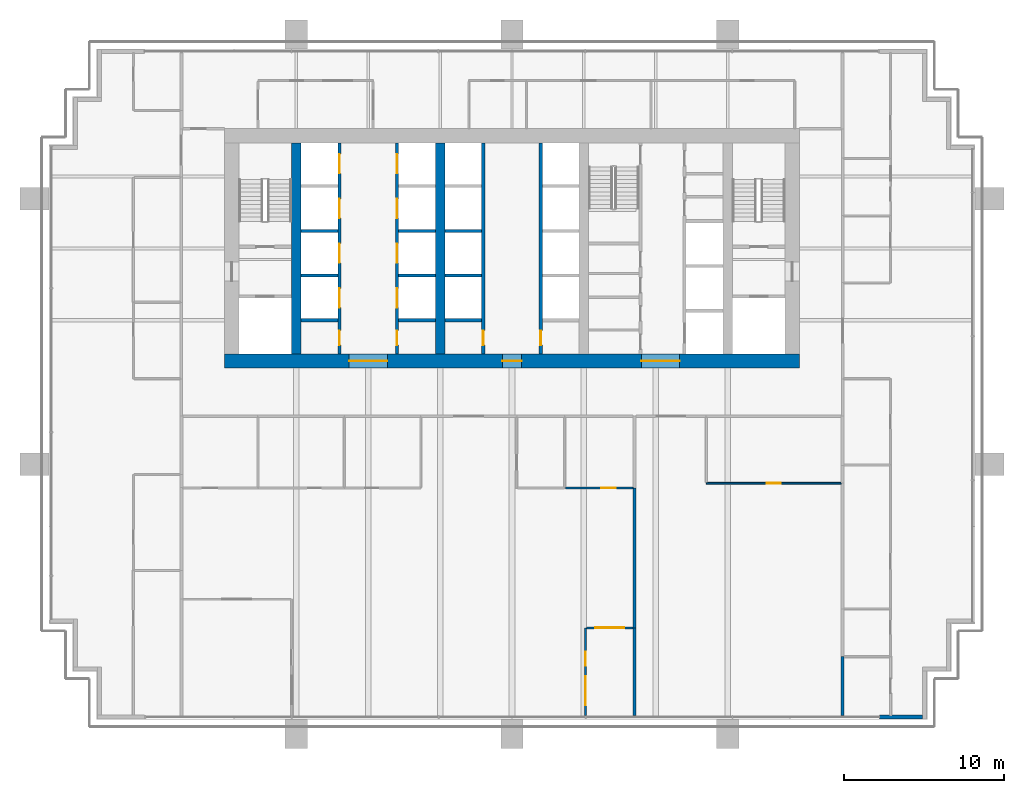
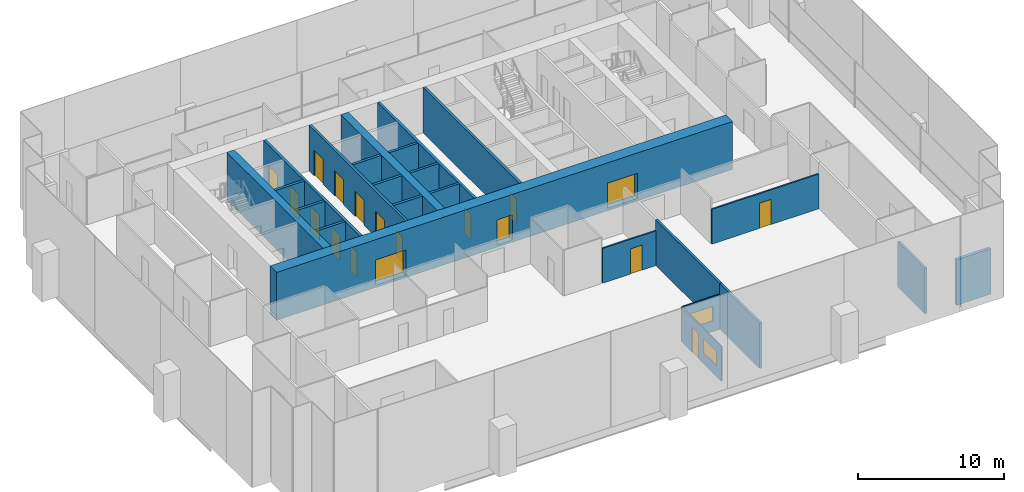
# One storey, part 11 of 17: 24 walls, 18 doors, 2 windows, 20 openings.
"""IFC4 building model written with IfcOpenShell, lengths in metres."""

from ifc_helpers import new_model, si_unit, direction, frame, frame_2d, origin, place, context, subcontext, project, spatial, rectangle, extrude, material, layer, layer_set, type_object, element, fill, save


model = new_model("IFC4")

# Units and contexts
model_context = context("Model", 3, precision=1e-05, world=origin(), true_north=direction((0.0, 1.0)))
body_context = subcontext(model_context, "Body", "Model", "MODEL_VIEW")
ifc_project = project(units=[si_unit("LENGTHUNIT", "METRE"), si_unit("AREAUNIT", "SQUARE_METRE"), si_unit("VOLUMEUNIT", "CUBIC_METRE"), si_unit("PLANEANGLEUNIT", "RADIAN"), si_unit("MASSUNIT", "GRAM", prefix="KILO")], contexts=[model_context])

# Site, building, storey
site_placement = place(None, origin())
site = spatial("IfcSite", under=ifc_project, at=site_placement, CompositionType="ELEMENT")
building_placement = place(site_placement, origin())
building = spatial("IfcBuilding", under=site, at=building_placement, Name="Rattan Terrace Tower", CompositionType="ELEMENT")
storey_placement = place(building_placement, frame((0.0, 0.0, 126.10009765625)))
storey = spatial("IfcBuildingStorey", under=building, at=storey_placement, Name="L28", CompositionType="ELEMENT", Elevation=126.10009765625)

# Wall, openings, doors
ifc_material_1 = material(Name="Concrete C60/75", Category="concrete")
ifc_layer_1 = layer(ifc_material_1, 0.89990234375)
ifc_layer_set_1 = layer_set([ifc_layer_1], Name="Core ring wall 900 C60/75")
wall_type_1 = type_object("IfcWallType", Name="Core ring wall 900 C60/75", PredefinedType="SHEAR", material=ifc_layer_set_1)
wall_1_placement = place(storey_placement, frame((-18.0, -7.050048828125, -0.2001953125), z_axis=(0.0, 0.0, 1.0), x_axis=(1.0, 0.0, 0.0)))
wall_1 = element("IfcWall", 1, at=wall_1_placement, inside=storey, type_object=wall_type_1, Name="Rear core wall south", PredefinedType="SHEAR", context=body_context, shape_type="SweptSolid", body=[
    extrude(rectangle(XDim=36.0, YDim=0.89990234375, at=frame_2d((18.0, 0.0))), origin(), (0.0, 0.0, 1.0), 4.0),
])
opening_1_placement = place(wall_1_placement, frame((7.800048828125, 0.0, 0.199951171875)))
opening_1 = element("IfcOpeningElement", 2, at=opening_1_placement, cuts=wall_1, Name="Opening L28-D007", PredefinedType="OPENING", context=body_context, shape_type="SweptSolid", body=[
    extrude(rectangle(XDim=2.39990234375, YDim=2.10009765625, at=frame_2d((1.199951171875, 1.050048828125))), frame((0.0, 0.46044921875, 0.0), z_axis=(0.0, -1.0, 0.0), x_axis=(1.0, 0.0, 0.0)), (0.0, 0.0, 1.0), 0.9208984375),
])
opening_2_placement = place(wall_1_placement, frame((17.39990234375, 0.0, 0.199951171875)))
opening_2 = element("IfcOpeningElement", 3, at=opening_2_placement, cuts=wall_1, Name="Opening L28-D010", PredefinedType="OPENING", context=body_context, shape_type="SweptSolid", body=[
    extrude(rectangle(XDim=1.199951171875, YDim=2.10009765625, at=frame_2d((0.60009765625, 1.050048828125))), frame((0.0, 0.46044921875, 0.0), z_axis=(0.0, -1.0, 0.0), x_axis=(1.0, 0.0, 0.0)), (0.0, 0.0, 1.0), 0.9208984375),
])
opening_3_placement = place(wall_1_placement, frame((26.10009765625, 0.0, 0.199951171875)))
opening_3 = element("IfcOpeningElement", 4, at=opening_3_placement, cuts=wall_1, Name="Opening L28-D016", PredefinedType="OPENING", context=body_context, shape_type="SweptSolid", body=[
    extrude(rectangle(XDim=2.39990234375, YDim=2.10009765625, at=frame_2d((1.199951171875, 1.050048828125))), frame((0.0, 0.46044921875, 0.0), z_axis=(0.0, -1.0, 0.0), x_axis=(1.0, 0.0, 0.0)), (0.0, 0.0, 1.0), 0.9208984375),
])
ifc_material_2 = material(Name="Hollow-metal fire door leaf")
door_type_1 = type_object("IfcDoorType", Name="Core lift lobby door 2400", OperationType="NOTDEFINED", PredefinedType="DOOR", material=ifc_material_2)
door_1_placement = place(opening_1_placement, origin())
door_1 = element("IfcDoor", 5, at=door_1_placement, inside=storey, type_object=door_type_1, Name="Door L28-D007", OperationType="DOUBLE_DOOR_DOUBLE_SWING", OverallHeight=2.10009765625, OverallWidth=2.39990234375, PredefinedType="DOOR", context=body_context, shape_type="SweptSolid", body=[
    extrude(rectangle(XDim=2.39990234375, YDim=2.10009765625, at=frame_2d((1.199951171875, 1.050048828125))), frame((0.0, 0.02490234375, 0.0), z_axis=(0.0, -1.0, 0.0), x_axis=(1.0, 0.0, 0.0)), (0.0, 0.0, 1.0), 0.050048828125),
])
fill(opening_1, door_1)
door_2_placement = place(opening_3_placement, origin())
door_2 = element("IfcDoor", 6, at=door_2_placement, inside=storey, type_object=door_type_1, Name="Door L28-D016", OperationType="DOUBLE_DOOR_DOUBLE_SWING", OverallHeight=2.10009765625, OverallWidth=2.39990234375, PredefinedType="DOOR", context=body_context, shape_type="SweptSolid", body=[
    extrude(rectangle(XDim=2.39990234375, YDim=2.10009765625, at=frame_2d((1.199951171875, 1.050048828125))), frame((0.0, 0.02490234375, 0.0), z_axis=(0.0, -1.0, 0.0), x_axis=(1.0, 0.0, 0.0)), (0.0, 0.0, 1.0), 0.050048828125),
])
fill(opening_3, door_2)
ifc_material_3 = material(Name="Hollow-metal fire door leaf")
door_type_2 = type_object("IfcDoorType", Name="Core riser door 1200", OperationType="NOTDEFINED", PredefinedType="DOOR", material=ifc_material_3)
door_3_placement = place(opening_2_placement, origin())
door_3 = element("IfcDoor", 7, at=door_3_placement, inside=storey, type_object=door_type_2, Name="Door L28-D010", OperationType="SINGLE_SWING_LEFT", OverallHeight=2.10009765625, OverallWidth=1.199951171875, PredefinedType="DOOR", context=body_context, shape_type="SweptSolid", body=[
    extrude(rectangle(XDim=1.199951171875, YDim=2.10009765625, at=frame_2d((0.60009765625, 1.050048828125))), frame((0.0, 0.02490234375, 0.0), z_axis=(0.0, -1.0, 0.0), x_axis=(1.0, 0.0, 0.0)), (0.0, 0.0, 1.0), 0.050048828125),
])
fill(opening_2, door_3)

# Walls
ifc_material_4 = material(Name="Concrete C60/75", Category="concrete")
ifc_layer_2 = layer(ifc_material_4, 0.60009765625)
ifc_layer_set_2 = layer_set([ifc_layer_2], Name="Core spine wall 600 C60/75")
wall_type_2 = type_object("IfcWallType", Name="Core spine wall 600 C60/75", PredefinedType="SHEAR", material=ifc_layer_set_2)
for number, where, z_axis, x_axis, name in (
    (8, (-13.5, -6.60009765625, -0.2001953125), (0.0, 0.0, 1.0), (0.0, 1.0, 0.0), "Core spine wall 1"),
    (9, (-4.5, -6.60009765625, -0.2001953125), (0.0, 0.0, 1.0), (0.0, 1.0, 0.0), "Core spine wall 2"),
):
    element("IfcWall", number, at=place(storey_placement, frame(where, z_axis=z_axis, x_axis=x_axis)), inside=storey, type_object=wall_type_2, Name=name, PredefinedType="SHEAR", context=body_context, shape_type="SweptSolid", body=[
        extrude(rectangle(XDim=13.2001953125, YDim=0.60009765625, at=frame_2d((6.60009765625, 0.0))), origin(), (0.0, 0.0, 1.0), 4.0),
    ])
ifc_material_5 = material(Name="Insulated aluminium-clad stud wall", Category="aluminium")
ifc_layer_3 = layer(ifc_material_5, 0.25)
ifc_layer_set_3 = layer_set([ifc_layer_3], Name="Facade Riser Wall 250")
wall_type_3 = type_object("IfcWallType", Name="Facade Riser Wall 250", PredefinedType="SOLIDWALL", material=ifc_layer_set_3)
wall_2_placement = place(storey_placement, frame((23.0, -29.330078125, 0.0), z_axis=(0.0, 0.0, 1.0), x_axis=(1.0, 0.0, 0.0)))
element("IfcWall", 10, at=wall_2_placement, inside=storey, type_object=wall_type_3, Name="Riser wall L28-1", PredefinedType="SOLIDWALL", context=body_context, shape_type="SweptSolid", body=[
    extrude(rectangle(XDim=2.705078125, YDim=0.25, at=frame_2d((1.3525390625, 0.0))), origin(), (0.0, 0.0, 1.0), 3.7998046875),
])
ifc_material_6 = material(Name="Double steel stud acoustic partition, gypsum board, mineral wool, fire rated", Category="steel")
ifc_layer_4 = layer(ifc_material_6, 0.179931640625)
ifc_layer_set_4 = layer_set([ifc_layer_4], Name="Floors Acoustic Party Wall 180")
wall_type_4 = type_object("IfcWallType", Name="Floors Acoustic Party Wall 180", PredefinedType="PARTITIONING", material=ifc_layer_set_4)
wall_3_placement = place(storey_placement, frame((7.6669921875, -15.0, 0.0), z_axis=(0.0, 0.0, 1.0), x_axis=(0.0, -1.0, 0.0)))
element("IfcWall", 11, at=wall_3_placement, inside=storey, type_object=wall_type_4, Name="pt-L28-049", PredefinedType="PARTITIONING", context=body_context, shape_type="SweptSolid", body=[
    extrude(rectangle(XDim=8.760009765625, YDim=0.179931640625, at=frame_2d((4.3798828125, 0.0))), origin(), (0.0, 0.0, 1.0), 3.7998046875),
])
wall_4_placement = place(storey_placement, frame((7.6669921875, -23.760009765625, 0.0), z_axis=(0.0, 0.0, 1.0), x_axis=(0.0, -1.0, 0.0)))
element("IfcWall", 12, at=wall_4_placement, inside=storey, type_object=wall_type_4, Name="pt-L28-050", PredefinedType="PARTITIONING", context=body_context, shape_type="SweptSolid", body=[
    extrude(rectangle(XDim=5.47998046875, YDim=0.179931640625, at=frame_2d((2.739990234375, 0.0))), origin(), (0.0, 0.0, 1.0), 3.7998046875),
])
wall_5_placement = place(storey_placement, frame((20.699951171875, -25.5400390625, 0.0), z_axis=(0.0, 0.0, 1.0), x_axis=(0.0, -1.0, 0.0)))
element("IfcWall", 13, at=wall_5_placement, inside=storey, type_object=wall_type_4, Name="pt-L28-057", PredefinedType="PARTITIONING", context=body_context, shape_type="SweptSolid", body=[
    extrude(rectangle(XDim=3.699951171875, YDim=0.179931640625, at=frame_2d((1.85009765625, 0.0))), origin(), (0.0, 0.0, 1.0), 3.7998046875),
])

# Wall, openings, door, window
ifc_material_7 = material(Name="Gypsum board partition on steel studs", Category="steel")
ifc_layer_5 = layer(ifc_material_7, 0.10009765625)
ifc_layer_set_5 = layer_set([ifc_layer_5], Name="Floors Partition 100")
wall_type_5 = type_object("IfcWallType", Name="Floors Partition 100", PredefinedType="PARTITIONING", material=ifc_layer_set_5)
wall_6_placement = place(storey_placement, frame((4.60009765625, -23.760009765625, 0.0), z_axis=(0.0, 0.0, 1.0), x_axis=(0.0, -1.0, 0.0)))
wall_6 = element("IfcWall", 14, at=wall_6_placement, inside=storey, type_object=wall_type_5, Name="pt-L28-038", PredefinedType="PARTITIONING", context=body_context, shape_type="SweptSolid", body=[
    extrude(rectangle(XDim=5.47998046875, YDim=0.10009765625, at=frame_2d((2.739990234375, 0.0))), origin(), (0.0, 0.0, 1.0), 2.89990234375),
])
opening_4_placement = place(wall_6_placement, frame((1.47412109375, 0.0, 0.0)))
opening_4 = element("IfcOpeningElement", 15, at=opening_4_placement, cuts=wall_6, Name="Opening L28-D107", PredefinedType="OPENING", context=body_context, shape_type="SweptSolid", body=[
    extrude(rectangle(XDim=0.89990234375, YDim=2.10009765625, at=frame_2d((0.449951171875, 1.050048828125))), frame((0.0, 0.060546875, 0.0), z_axis=(0.0, -1.0, 0.0), x_axis=(1.0, 0.0, 0.0)), (0.0, 0.0, 1.0), 0.12109375),
])
opening_5_placement = place(wall_6_placement, frame((3.027099609375, 0.0, 0.89990234375)))
opening_5 = element("IfcOpeningElement", 16, at=opening_5_placement, cuts=wall_6, Name="Opening L28-W100", PredefinedType="OPENING", context=body_context, shape_type="SweptSolid", body=[
    extrude(rectangle(XDim=1.800048828125, YDim=1.199951171875, at=frame_2d((0.89990234375, 0.60009765625))), frame((0.0, 0.060546875, 0.0), z_axis=(0.0, -1.0, 0.0), x_axis=(1.0, 0.0, 0.0)), (0.0, 0.0, 1.0), 0.12109375),
])
ifc_material_8 = material(Name="Solid core timber door, painted", Category="wood")
door_type_3 = type_object("IfcDoorType", Name="Floors Door 900x2100", OperationType="NOTDEFINED", PredefinedType="DOOR", material=ifc_material_8)
door_4_placement = place(opening_4_placement, origin())
door_4 = element("IfcDoor", 17, at=door_4_placement, inside=storey, type_object=door_type_3, Name="d-L28-107", OperationType="SINGLE_SWING_LEFT", OverallHeight=2.10009765625, OverallWidth=0.89990234375, PredefinedType="DOOR", context=body_context, shape_type="SweptSolid", body=[
    extrude(rectangle(XDim=0.89990234375, YDim=2.10009765625, at=frame_2d((0.449951171875, 1.050048828125))), frame((0.0, 0.02490234375, 0.0), z_axis=(0.0, -1.0, 0.0), x_axis=(1.0, 0.0, 0.0)), (0.0, 0.0, 1.0), 0.050048828125),
])
fill(opening_4, door_4)
ifc_material_9 = material(Name="Glass, clear, fixed in aluminium frame", Category="aluminium")
window_type = type_object("IfcWindowType", Name="Interior Vision Window 1800x1200", PartitioningType="SINGLE_PANEL", PredefinedType="WINDOW", material=ifc_material_9)
window_1_placement = place(opening_5_placement, origin())
window_1 = element("IfcWindow", 18, at=window_1_placement, inside=storey, type_object=window_type, Name="w-L28-100", OverallHeight=1.199951171875, OverallWidth=1.800048828125, PartitioningType="SINGLE_PANEL", PredefinedType="WINDOW", context=body_context, shape_type="SweptSolid", body=[
    extrude(rectangle(XDim=1.800048828125, YDim=1.199951171875, at=frame_2d((0.89990234375, 0.60009765625))), frame((0.0, 0.030029296875, 0.0), z_axis=(0.0, -1.0, 0.0), x_axis=(1.0, 0.0, 0.0)), (0.0, 0.0, 1.0), 0.06005859375),
])
fill(opening_5, window_1)

# Wall, opening, window
wall_7_placement = place(storey_placement, frame((7.576904296875, -23.760009765625, 0.0), z_axis=(0.0, 0.0, 1.0), x_axis=(-1.0, 0.0, 0.0)))
wall_7 = element("IfcWall", 19, at=wall_7_placement, inside=storey, type_object=wall_type_5, Name="pt-L28-039", PredefinedType="PARTITIONING", context=body_context, shape_type="SweptSolid", body=[
    extrude(rectangle(XDim=2.927001953125, YDim=0.10009765625, at=frame_2d((1.46337890625, 0.0))), origin(), (0.0, 0.0, 1.0), 2.89990234375),
])
opening_6_placement = place(wall_7_placement, frame((0.56396484375, 0.0, 0.89990234375)))
opening_6 = element("IfcOpeningElement", 20, at=opening_6_placement, cuts=wall_7, Name="Opening L28-W101", PredefinedType="OPENING", context=body_context, shape_type="SweptSolid", body=[
    extrude(rectangle(XDim=1.800048828125, YDim=1.199951171875, at=frame_2d((0.89990234375, 0.60009765625))), frame((0.0, 0.060546875, 0.0), z_axis=(0.0, -1.0, 0.0), x_axis=(1.0, 0.0, 0.0)), (0.0, 0.0, 1.0), 0.12109375),
])
window_2_placement = place(opening_6_placement, origin())
window_2 = element("IfcWindow", 21, at=window_2_placement, inside=storey, type_object=window_type, Name="w-L28-101", OverallHeight=1.199951171875, OverallWidth=1.800048828125, PartitioningType="SINGLE_PANEL", PredefinedType="WINDOW", context=body_context, shape_type="SweptSolid", body=[
    extrude(rectangle(XDim=1.800048828125, YDim=1.199951171875, at=frame_2d((0.89990234375, 0.60009765625))), frame((0.0, 0.030029296875, 0.0), z_axis=(0.0, -1.0, 0.0), x_axis=(1.0, 0.0, 0.0)), (0.0, 0.0, 1.0), 0.06005859375),
])
fill(opening_6, window_2)

# Wall, opening, door
ifc_material_10 = material(Name="Moisture resistant gypsum board partition on steel studs with service cavity", Category="steel")
ifc_layer_6 = layer(ifc_material_10, 0.1201171875)
ifc_layer_set_6 = layer_set([ifc_layer_6], Name="Floors Wet Wall 120")
wall_type_6 = type_object("IfcWallType", Name="Floors Wet Wall 120", PredefinedType="PARTITIONING", material=ifc_layer_set_6)
wall_8_placement = place(storey_placement, frame((3.360107421875, -15.0, 0.0), z_axis=(0.0, 0.0, 1.0), x_axis=(1.0, 0.0, 0.0)))
wall_8 = element("IfcWall", 22, at=wall_8_placement, inside=storey, type_object=wall_type_6, Name="pt-L28-048", PredefinedType="PARTITIONING", context=body_context, shape_type="SweptSolid", body=[
    extrude(rectangle(XDim=4.216796875, YDim=0.1201171875, at=frame_2d((2.1083984375, 0.0))), origin(), (0.0, 0.0, 1.0), 2.89990234375),
])
opening_7_placement = place(wall_8_placement, frame((2.221923828125, 0.0, 0.0)))
opening_7 = element("IfcOpeningElement", 23, at=opening_7_placement, cuts=wall_8, Name="Opening L28-D113", PredefinedType="OPENING", context=body_context, shape_type="SweptSolid", body=[
    extrude(rectangle(XDim=0.89990234375, YDim=2.10009765625, at=frame_2d((0.449951171875, 1.050048828125))), frame((0.0, 0.070556640625, 0.0), z_axis=(0.0, -1.0, 0.0), x_axis=(1.0, 0.0, 0.0)), (0.0, 0.0, 1.0), 0.14111328125),
])
door_5_placement = place(opening_7_placement, origin())
door_5 = element("IfcDoor", 24, at=door_5_placement, inside=storey, type_object=door_type_3, Name="d-L28-113", OperationType="SINGLE_SWING_RIGHT", OverallHeight=2.10009765625, OverallWidth=0.89990234375, PredefinedType="DOOR", context=body_context, shape_type="SweptSolid", body=[
    extrude(rectangle(XDim=0.89990234375, YDim=2.10009765625, at=frame_2d((0.449951171875, 1.050048828125))), frame((0.0, 0.02490234375, 0.0), z_axis=(0.0, -1.0, 0.0), x_axis=(1.0, 0.0, 0.0)), (0.0, 0.0, 1.0), 0.050048828125),
])
fill(opening_7, door_5)

wall_9_placement = place(storey_placement, frame((12.1669921875, -14.699951171875, 0.0), z_axis=(0.0, 0.0, 1.0), x_axis=(1.0, 0.0, 0.0)))
wall_9 = element("IfcWall", 25, at=wall_9_placement, inside=storey, type_object=wall_type_6, Name="pt-L28-056", PredefinedType="PARTITIONING", context=body_context, shape_type="SweptSolid", body=[
    extrude(rectangle(XDim=8.443115234375, YDim=0.1201171875, at=frame_2d((4.2216796875, 0.0))), origin(), (0.0, 0.0, 1.0), 2.89990234375),
])
opening_8_placement = place(wall_9_placement, frame((3.77099609375, 0.0, 0.0)))
opening_8 = element("IfcOpeningElement", 26, at=opening_8_placement, cuts=wall_9, Name="Opening L28-D115", PredefinedType="OPENING", context=body_context, shape_type="SweptSolid", body=[
    extrude(rectangle(XDim=0.89990234375, YDim=2.10009765625, at=frame_2d((0.449951171875, 1.050048828125))), frame((0.0, 0.070556640625, 0.0), z_axis=(0.0, -1.0, 0.0), x_axis=(1.0, 0.0, 0.0)), (0.0, 0.0, 1.0), 0.14111328125),
])
door_6_placement = place(opening_8_placement, origin())
door_6 = element("IfcDoor", 27, at=door_6_placement, inside=storey, type_object=door_type_3, Name="d-L28-115", OperationType="SINGLE_SWING_RIGHT", OverallHeight=2.10009765625, OverallWidth=0.89990234375, PredefinedType="DOOR", context=body_context, shape_type="SweptSolid", body=[
    extrude(rectangle(XDim=0.89990234375, YDim=2.10009765625, at=frame_2d((0.449951171875, 1.050048828125))), frame((0.0, 0.02490234375, 0.0), z_axis=(0.0, -1.0, 0.0), x_axis=(1.0, 0.0, 0.0)), (0.0, 0.0, 1.0), 0.050048828125),
])
fill(opening_8, door_6)

# Wall, openings, doors
ifc_material_11 = material(Name="Gypsum shaft wall system")
ifc_layer_7 = layer(ifc_material_11, 0.199951171875)
ifc_layer_set_7 = layer_set([ifc_layer_7], Name="Lift shaft wall 200")
wall_type_7 = type_object("IfcWallType", Name="Lift shaft wall 200", PredefinedType="PARTITIONING", material=ifc_layer_set_7)
wall_10_placement = place(storey_placement, frame((-10.800048828125, -6.60009765625, 0.0), z_axis=(0.0, 0.0, 1.0), x_axis=(0.0, 1.0, 0.0)))
wall_10 = element("IfcWall", 28, at=wall_10_placement, inside=storey, type_object=wall_type_7, Name="Lift shaft front wall", PredefinedType="PARTITIONING", context=body_context, shape_type="SweptSolid", body=[
    extrude(rectangle(XDim=13.2001953125, YDim=0.199951171875, at=frame_2d((6.60009765625, 0.0))), origin(), (0.0, 0.0, 1.0), 3.7998046875),
])
opening_9_placement = place(wall_10_placement, frame((0.550048828125, 0.0, 0.0)))
opening_9 = element("IfcOpeningElement", 29, at=opening_9_placement, cuts=wall_10, Name="Opening L28-D005", PredefinedType="OPENING", context=body_context, shape_type="SweptSolid", body=[
    extrude(rectangle(XDim=0.89990234375, YDim=2.10009765625, at=frame_2d((0.449951171875, 1.050048828125))), frame((0.0, 0.110595703125, 0.0), z_axis=(0.0, -1.0, 0.0), x_axis=(1.0, 0.0, 0.0)), (0.0, 0.0, 1.0), 0.220947265625),
])
opening_10_placement = place(wall_10_placement, frame((2.89990234375, 0.0, 0.0)))
opening_10 = element("IfcOpeningElement", 30, at=opening_10_placement, cuts=wall_10, Name="Opening L28-LD-LR1", PredefinedType="OPENING", context=body_context, shape_type="SweptSolid", body=[
    extrude(rectangle(XDim=1.199951171875, YDim=2.10009765625, at=frame_2d((0.60009765625, 1.050048828125))), frame((0.0, 0.110595703125, 0.0), z_axis=(0.0, -1.0, 0.0), x_axis=(1.0, 0.0, 0.0)), (0.0, 0.0, 1.0), 0.220947265625),
])
opening_11_placement = place(wall_10_placement, frame((5.699951171875, 0.0, 0.0)))
opening_11 = element("IfcOpeningElement", 31, at=opening_11_placement, cuts=wall_10, Name="Opening L28-LD-LR2", PredefinedType="OPENING", context=body_context, shape_type="SweptSolid", body=[
    extrude(rectangle(XDim=1.199951171875, YDim=2.10009765625, at=frame_2d((0.60009765625, 1.050048828125))), frame((0.0, 0.110595703125, 0.0), z_axis=(0.0, -1.0, 0.0), x_axis=(1.0, 0.0, 0.0)), (0.0, 0.0, 1.0), 0.220947265625),
])
opening_12_placement = place(wall_10_placement, frame((8.5, 0.0, 0.0)))
opening_12 = element("IfcOpeningElement", 32, at=opening_12_placement, cuts=wall_10, Name="Opening L28-LD-LR3", PredefinedType="OPENING", context=body_context, shape_type="SweptSolid", body=[
    extrude(rectangle(XDim=1.199951171875, YDim=2.10009765625, at=frame_2d((0.60009765625, 1.050048828125))), frame((0.0, 0.110595703125, 0.0), z_axis=(0.0, -1.0, 0.0), x_axis=(1.0, 0.0, 0.0)), (0.0, 0.0, 1.0), 0.220947265625),
])
opening_13_placement = place(wall_10_placement, frame((11.300048828125, 0.0, 0.0)))
opening_13 = element("IfcOpeningElement", 33, at=opening_13_placement, cuts=wall_10, Name="Opening L28-LD-LR4", PredefinedType="OPENING", context=body_context, shape_type="SweptSolid", body=[
    extrude(rectangle(XDim=1.199951171875, YDim=2.10009765625, at=frame_2d((0.60009765625, 1.050048828125))), frame((0.0, 0.110595703125, 0.0), z_axis=(0.0, -1.0, 0.0), x_axis=(1.0, 0.0, 0.0)), (0.0, 0.0, 1.0), 0.220947265625),
])
ifc_material_12 = material(Name="Brushed stainless landing door panel")
door_type_4 = type_object("IfcDoorType", Name="Core lift landing door 1200", OperationType="DOUBLE_DOOR_SLIDING", PredefinedType="DOOR", material=ifc_material_12)
door_7_placement = place(opening_10_placement, origin())
door_7 = element("IfcDoor", 34, at=door_7_placement, inside=storey, type_object=door_type_4, Name="Door L28-LD-LR1", OperationType="DOUBLE_DOOR_SLIDING", OverallHeight=2.10009765625, OverallWidth=1.199951171875, PredefinedType="DOOR", context=body_context, shape_type="SweptSolid", body=[
    extrude(rectangle(XDim=1.199951171875, YDim=2.10009765625, at=frame_2d((0.60009765625, 1.050048828125))), frame((0.0, 0.02490234375, 0.0), z_axis=(0.0, -1.0, 0.0), x_axis=(1.0, 0.0, 0.0)), (0.0, 0.0, 1.0), 0.050048828125),
])
fill(opening_10, door_7)
door_8_placement = place(opening_11_placement, origin())
door_8 = element("IfcDoor", 35, at=door_8_placement, inside=storey, type_object=door_type_4, Name="Door L28-LD-LR2", OperationType="DOUBLE_DOOR_SLIDING", OverallHeight=2.10009765625, OverallWidth=1.199951171875, PredefinedType="DOOR", context=body_context, shape_type="SweptSolid", body=[
    extrude(rectangle(XDim=1.199951171875, YDim=2.10009765625, at=frame_2d((0.60009765625, 1.050048828125))), frame((0.0, 0.02490234375, 0.0), z_axis=(0.0, -1.0, 0.0), x_axis=(1.0, 0.0, 0.0)), (0.0, 0.0, 1.0), 0.050048828125),
])
fill(opening_11, door_8)
door_9_placement = place(opening_12_placement, origin())
door_9 = element("IfcDoor", 36, at=door_9_placement, inside=storey, type_object=door_type_4, Name="Door L28-LD-LR3", OperationType="DOUBLE_DOOR_SLIDING", OverallHeight=2.10009765625, OverallWidth=1.199951171875, PredefinedType="DOOR", context=body_context, shape_type="SweptSolid", body=[
    extrude(rectangle(XDim=1.199951171875, YDim=2.10009765625, at=frame_2d((0.60009765625, 1.050048828125))), frame((0.0, 0.02490234375, 0.0), z_axis=(0.0, -1.0, 0.0), x_axis=(1.0, 0.0, 0.0)), (0.0, 0.0, 1.0), 0.050048828125),
])
fill(opening_12, door_9)
door_10_placement = place(opening_13_placement, origin())
door_10 = element("IfcDoor", 37, at=door_10_placement, inside=storey, type_object=door_type_4, Name="Door L28-LD-LR4", OperationType="DOUBLE_DOOR_SLIDING", OverallHeight=2.10009765625, OverallWidth=1.199951171875, PredefinedType="DOOR", context=body_context, shape_type="SweptSolid", body=[
    extrude(rectangle(XDim=1.199951171875, YDim=2.10009765625, at=frame_2d((0.60009765625, 1.050048828125))), frame((0.0, 0.02490234375, 0.0), z_axis=(0.0, -1.0, 0.0), x_axis=(1.0, 0.0, 0.0)), (0.0, 0.0, 1.0), 0.050048828125),
])
fill(opening_13, door_10)
ifc_material_13 = material(Name="Hollow-metal fire door leaf")
door_type_5 = type_object("IfcDoorType", Name="Core riser door 900", OperationType="NOTDEFINED", PredefinedType="DOOR", material=ifc_material_13)
door_11_placement = place(opening_9_placement, origin())
door_11 = element("IfcDoor", 38, at=door_11_placement, inside=storey, type_object=door_type_5, Name="Door L28-D005", OperationType="SINGLE_SWING_LEFT", OverallHeight=2.10009765625, OverallWidth=0.89990234375, PredefinedType="DOOR", context=body_context, shape_type="SweptSolid", body=[
    extrude(rectangle(XDim=0.89990234375, YDim=2.10009765625, at=frame_2d((0.449951171875, 1.050048828125))), frame((0.0, 0.02490234375, 0.0), z_axis=(0.0, -1.0, 0.0), x_axis=(1.0, 0.0, 0.0)), (0.0, 0.0, 1.0), 0.050048828125),
])
fill(opening_9, door_11)

wall_11_placement = place(storey_placement, frame((-7.199951171875, -6.60009765625, 0.0), z_axis=(0.0, 0.0, 1.0), x_axis=(0.0, 1.0, 0.0)))
wall_11 = element("IfcWall", 39, at=wall_11_placement, inside=storey, type_object=wall_type_7, Name="Lift shaft front wall", PredefinedType="PARTITIONING", context=body_context, shape_type="SweptSolid", body=[
    extrude(rectangle(XDim=13.2001953125, YDim=0.199951171875, at=frame_2d((6.60009765625, 0.0))), origin(), (0.0, 0.0, 1.0), 3.7998046875),
])
opening_14_placement = place(wall_11_placement, frame((0.550048828125, 0.0, 0.0)))
opening_14 = element("IfcOpeningElement", 40, at=opening_14_placement, cuts=wall_11, Name="Opening L28-D006", PredefinedType="OPENING", context=body_context, shape_type="SweptSolid", body=[
    extrude(rectangle(XDim=0.89990234375, YDim=2.10009765625, at=frame_2d((0.449951171875, 1.050048828125))), frame((0.0, 0.110595703125, 0.0), z_axis=(0.0, -1.0, 0.0), x_axis=(1.0, 0.0, 0.0)), (0.0, 0.0, 1.0), 0.220947265625),
])
opening_15_placement = place(wall_11_placement, frame((2.89990234375, 0.0, 0.0)))
opening_15 = element("IfcOpeningElement", 41, at=opening_15_placement, cuts=wall_11, Name="Opening L28-LD-LR5", PredefinedType="OPENING", context=body_context, shape_type="SweptSolid", body=[
    extrude(rectangle(XDim=1.199951171875, YDim=2.10009765625, at=frame_2d((0.60009765625, 1.050048828125))), frame((0.0, 0.110595703125, 0.0), z_axis=(0.0, -1.0, 0.0), x_axis=(1.0, 0.0, 0.0)), (0.0, 0.0, 1.0), 0.220947265625),
])
opening_16_placement = place(wall_11_placement, frame((5.699951171875, 0.0, 0.0)))
opening_16 = element("IfcOpeningElement", 42, at=opening_16_placement, cuts=wall_11, Name="Opening L28-LD-LR6", PredefinedType="OPENING", context=body_context, shape_type="SweptSolid", body=[
    extrude(rectangle(XDim=1.199951171875, YDim=2.10009765625, at=frame_2d((0.60009765625, 1.050048828125))), frame((0.0, 0.110595703125, 0.0), z_axis=(0.0, -1.0, 0.0), x_axis=(1.0, 0.0, 0.0)), (0.0, 0.0, 1.0), 0.220947265625),
])
opening_17_placement = place(wall_11_placement, frame((8.5, 0.0, 0.0)))
opening_17 = element("IfcOpeningElement", 43, at=opening_17_placement, cuts=wall_11, Name="Opening L28-LD-LR7", PredefinedType="OPENING", context=body_context, shape_type="SweptSolid", body=[
    extrude(rectangle(XDim=1.199951171875, YDim=2.10009765625, at=frame_2d((0.60009765625, 1.050048828125))), frame((0.0, 0.110595703125, 0.0), z_axis=(0.0, -1.0, 0.0), x_axis=(1.0, 0.0, 0.0)), (0.0, 0.0, 1.0), 0.220947265625),
])
opening_18_placement = place(wall_11_placement, frame((11.300048828125, 0.0, 0.0)))
opening_18 = element("IfcOpeningElement", 44, at=opening_18_placement, cuts=wall_11, Name="Opening L28-LD-LR8", PredefinedType="OPENING", context=body_context, shape_type="SweptSolid", body=[
    extrude(rectangle(XDim=1.199951171875, YDim=2.10009765625, at=frame_2d((0.60009765625, 1.050048828125))), frame((0.0, 0.110595703125, 0.0), z_axis=(0.0, -1.0, 0.0), x_axis=(1.0, 0.0, 0.0)), (0.0, 0.0, 1.0), 0.220947265625),
])
door_12_placement = place(opening_15_placement, origin())
door_12 = element("IfcDoor", 45, at=door_12_placement, inside=storey, type_object=door_type_4, Name="Door L28-LD-LR5", OperationType="DOUBLE_DOOR_SLIDING", OverallHeight=2.10009765625, OverallWidth=1.199951171875, PredefinedType="DOOR", context=body_context, shape_type="SweptSolid", body=[
    extrude(rectangle(XDim=1.199951171875, YDim=2.10009765625, at=frame_2d((0.60009765625, 1.050048828125))), frame((0.0, 0.02490234375, 0.0), z_axis=(0.0, -1.0, 0.0), x_axis=(1.0, 0.0, 0.0)), (0.0, 0.0, 1.0), 0.050048828125),
])
fill(opening_15, door_12)
door_13_placement = place(opening_16_placement, origin())
door_13 = element("IfcDoor", 46, at=door_13_placement, inside=storey, type_object=door_type_4, Name="Door L28-LD-LR6", OperationType="DOUBLE_DOOR_SLIDING", OverallHeight=2.10009765625, OverallWidth=1.199951171875, PredefinedType="DOOR", context=body_context, shape_type="SweptSolid", body=[
    extrude(rectangle(XDim=1.199951171875, YDim=2.10009765625, at=frame_2d((0.60009765625, 1.050048828125))), frame((0.0, 0.02490234375, 0.0), z_axis=(0.0, -1.0, 0.0), x_axis=(1.0, 0.0, 0.0)), (0.0, 0.0, 1.0), 0.050048828125),
])
fill(opening_16, door_13)
door_14_placement = place(opening_17_placement, origin())
door_14 = element("IfcDoor", 47, at=door_14_placement, inside=storey, type_object=door_type_4, Name="Door L28-LD-LR7", OperationType="DOUBLE_DOOR_SLIDING", OverallHeight=2.10009765625, OverallWidth=1.199951171875, PredefinedType="DOOR", context=body_context, shape_type="SweptSolid", body=[
    extrude(rectangle(XDim=1.199951171875, YDim=2.10009765625, at=frame_2d((0.60009765625, 1.050048828125))), frame((0.0, 0.02490234375, 0.0), z_axis=(0.0, -1.0, 0.0), x_axis=(1.0, 0.0, 0.0)), (0.0, 0.0, 1.0), 0.050048828125),
])
fill(opening_17, door_14)
door_15_placement = place(opening_18_placement, origin())
door_15 = element("IfcDoor", 48, at=door_15_placement, inside=storey, type_object=door_type_4, Name="Door L28-LD-LR8", OperationType="DOUBLE_DOOR_SLIDING", OverallHeight=2.10009765625, OverallWidth=1.199951171875, PredefinedType="DOOR", context=body_context, shape_type="SweptSolid", body=[
    extrude(rectangle(XDim=1.199951171875, YDim=2.10009765625, at=frame_2d((0.60009765625, 1.050048828125))), frame((0.0, 0.02490234375, 0.0), z_axis=(0.0, -1.0, 0.0), x_axis=(1.0, 0.0, 0.0)), (0.0, 0.0, 1.0), 0.050048828125),
])
fill(opening_18, door_15)
door_16_placement = place(opening_14_placement, origin())
door_16 = element("IfcDoor", 49, at=door_16_placement, inside=storey, type_object=door_type_5, Name="Door L28-D006", OperationType="SINGLE_SWING_RIGHT", OverallHeight=2.10009765625, OverallWidth=0.89990234375, PredefinedType="DOOR", context=body_context, shape_type="SweptSolid", body=[
    extrude(rectangle(XDim=0.89990234375, YDim=2.10009765625, at=frame_2d((0.449951171875, 1.050048828125))), frame((0.0, 0.02490234375, 0.0), z_axis=(0.0, -1.0, 0.0), x_axis=(1.0, 0.0, 0.0)), (0.0, 0.0, 1.0), 0.050048828125),
])
fill(opening_14, door_16)

# Walls
for number, where, z_axis, x_axis, name in (
    (50, (-13.199951171875, -1.699951171875, 0.0), (0.0, 0.0, 1.0), (1.0, 0.0, 0.0), "Lift shaft wall"),
    (51, (-13.199951171875, 1.10009765625, 0.0), (0.0, 0.0, 1.0), (1.0, 0.0, 0.0), "Lift shaft wall"),
    (52, (-13.199951171875, -4.5, 0.0), (0.0, 0.0, 1.0), (1.0, 0.0, 0.0), "Lift shaft wall"),
    (53, (-7.10009765625, -1.699951171875, 0.0), (0.0, 0.0, 1.0), (1.0, 0.0, 0.0), "Lift shaft wall"),
    (54, (-7.10009765625, 1.10009765625, 0.0), (0.0, 0.0, 1.0), (1.0, 0.0, 0.0), "Lift shaft wall"),
    (55, (-7.10009765625, -4.5, 0.0), (0.0, 0.0, 1.0), (1.0, 0.0, 0.0), "Lift shaft wall"),
):
    element("IfcWall", number, at=place(storey_placement, frame(where, z_axis=z_axis, x_axis=x_axis)), inside=storey, type_object=wall_type_7, Name=name, PredefinedType="PARTITIONING", context=body_context, shape_type="SweptSolid", body=[
        extrude(rectangle(XDim=2.300048828125, YDim=0.199951171875, at=frame_2d((1.14990234375, 0.0))), origin(), (0.0, 0.0, 1.0), 3.7998046875),
    ])

# Wall, opening, door
wall_12_placement = place(storey_placement, frame((-1.800048828125, -6.60009765625, 0.0), z_axis=(0.0, 0.0, 1.0), x_axis=(0.0, 1.0, 0.0)))
wall_12 = element("IfcWall", 56, at=wall_12_placement, inside=storey, type_object=wall_type_7, Name="Lift shaft front wall", PredefinedType="PARTITIONING", context=body_context, shape_type="SweptSolid", body=[
    extrude(rectangle(XDim=13.2001953125, YDim=0.199951171875, at=frame_2d((6.60009765625, 0.0))), origin(), (0.0, 0.0, 1.0), 3.7998046875),
])
opening_19_placement = place(wall_12_placement, frame((0.550048828125, 0.0, 0.0)))
opening_19 = element("IfcOpeningElement", 57, at=opening_19_placement, cuts=wall_12, Name="Opening L28-D008", PredefinedType="OPENING", context=body_context, shape_type="SweptSolid", body=[
    extrude(rectangle(XDim=0.89990234375, YDim=2.10009765625, at=frame_2d((0.449951171875, 1.050048828125))), frame((0.0, 0.110595703125, 0.0), z_axis=(0.0, -1.0, 0.0), x_axis=(1.0, 0.0, 0.0)), (0.0, 0.0, 1.0), 0.220947265625),
])
door_17_placement = place(opening_19_placement, origin())
door_17 = element("IfcDoor", 58, at=door_17_placement, inside=storey, type_object=door_type_5, Name="Door L28-D008", OperationType="SINGLE_SWING_LEFT", OverallHeight=2.10009765625, OverallWidth=0.89990234375, PredefinedType="DOOR", context=body_context, shape_type="SweptSolid", body=[
    extrude(rectangle(XDim=0.89990234375, YDim=2.10009765625, at=frame_2d((0.449951171875, 1.050048828125))), frame((0.0, 0.02490234375, 0.0), z_axis=(0.0, -1.0, 0.0), x_axis=(1.0, 0.0, 0.0)), (0.0, 0.0, 1.0), 0.050048828125),
])
fill(opening_19, door_17)

wall_13_placement = place(storey_placement, frame((1.800048828125, -6.60009765625, 0.0), z_axis=(0.0, 0.0, 1.0), x_axis=(0.0, 1.0, 0.0)))
wall_13 = element("IfcWall", 59, at=wall_13_placement, inside=storey, type_object=wall_type_7, Name="Lift shaft front wall", PredefinedType="PARTITIONING", context=body_context, shape_type="SweptSolid", body=[
    extrude(rectangle(XDim=13.2001953125, YDim=0.199951171875, at=frame_2d((6.60009765625, 0.0))), origin(), (0.0, 0.0, 1.0), 3.7998046875),
])
opening_20_placement = place(wall_13_placement, frame((0.550048828125, 0.0, 0.0)))
opening_20 = element("IfcOpeningElement", 60, at=opening_20_placement, cuts=wall_13, Name="Opening L28-D009", PredefinedType="OPENING", context=body_context, shape_type="SweptSolid", body=[
    extrude(rectangle(XDim=0.89990234375, YDim=2.10009765625, at=frame_2d((0.449951171875, 1.050048828125))), frame((0.0, 0.110595703125, 0.0), z_axis=(0.0, -1.0, 0.0), x_axis=(1.0, 0.0, 0.0)), (0.0, 0.0, 1.0), 0.220947265625),
])
door_18_placement = place(opening_20_placement, origin())
door_18 = element("IfcDoor", 61, at=door_18_placement, inside=storey, type_object=door_type_5, Name="Door L28-D009", OperationType="SINGLE_SWING_RIGHT", OverallHeight=2.10009765625, OverallWidth=0.89990234375, PredefinedType="DOOR", context=body_context, shape_type="SweptSolid", body=[
    extrude(rectangle(XDim=0.89990234375, YDim=2.10009765625, at=frame_2d((0.449951171875, 1.050048828125))), frame((0.0, 0.02490234375, 0.0), z_axis=(0.0, -1.0, 0.0), x_axis=(1.0, 0.0, 0.0)), (0.0, 0.0, 1.0), 0.050048828125),
])
fill(opening_20, door_18)

# Walls
for number, where, z_axis, x_axis, name in (
    (62, (-4.199951171875, -1.699951171875, 0.0), (0.0, 0.0, 1.0), (1.0, 0.0, 0.0), "Lift shaft wall"),
    (63, (-4.199951171875, 1.10009765625, 0.0), (0.0, 0.0, 1.0), (1.0, 0.0, 0.0), "Lift shaft wall"),
    (64, (-4.199951171875, -4.5, 0.0), (0.0, 0.0, 1.0), (1.0, 0.0, 0.0), "Lift shaft wall"),
):
    element("IfcWall", number, at=place(storey_placement, frame(where, z_axis=z_axis, x_axis=x_axis)), inside=storey, type_object=wall_type_7, Name=name, PredefinedType="PARTITIONING", context=body_context, shape_type="SweptSolid", body=[
        extrude(rectangle(XDim=2.300048828125, YDim=0.199951171875, at=frame_2d((1.14990234375, 0.0))), origin(), (0.0, 0.0, 1.0), 3.7998046875),
    ])

save(model, "model.ifc")
